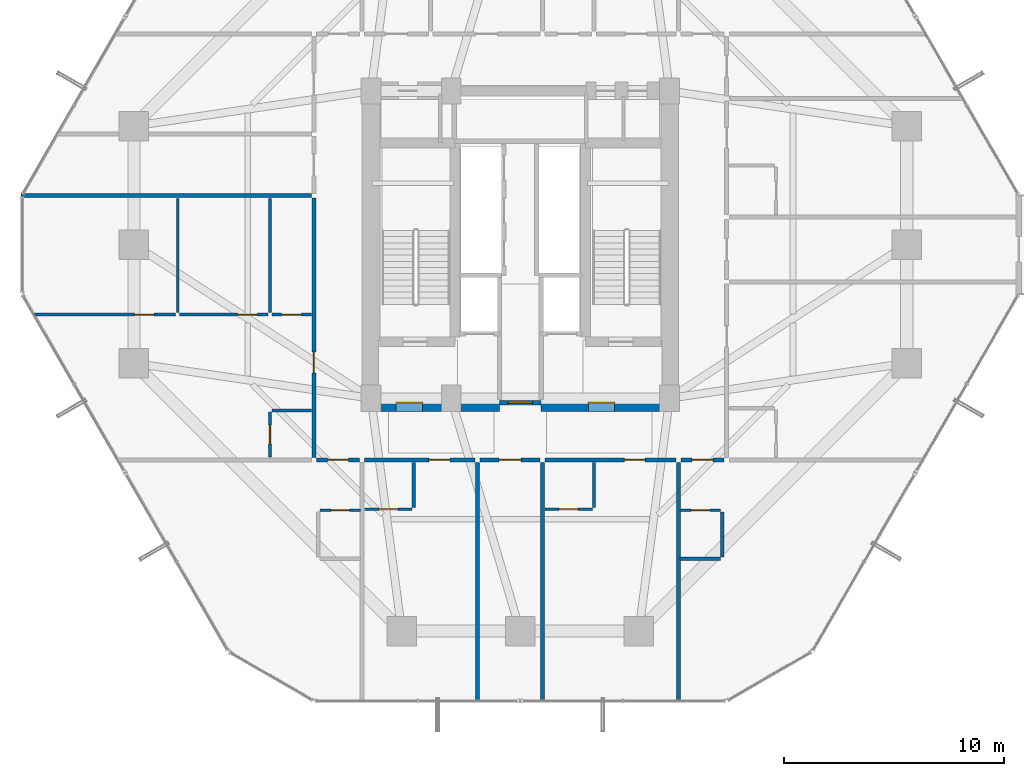
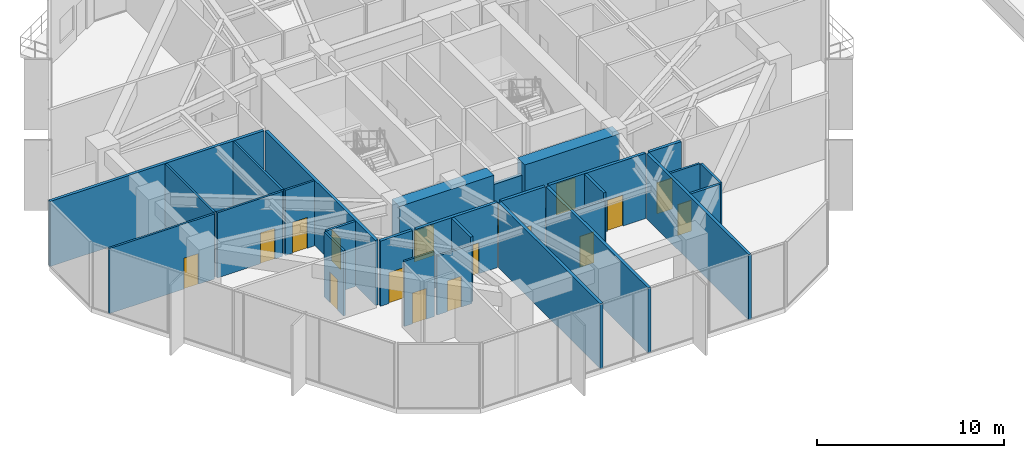
# One storey, part 33 of 39: 28 walls, 17 doors, 17 openings.
"""IFC4 building model written with IfcOpenShell, lengths in metres."""

from ifc_helpers import new_model, si_unit, direction, frame, frame_2d, origin, place, context, subcontext, project, spatial, rectangle, extrude, source, transform, mapped, material, layer, layer_set, type_object, element, fill, save


model = new_model("IFC4")

# Units and contexts
model_context = context("Model", 3, precision=1e-05, world=origin(), true_north=direction((0.0, 1.0)))
body_context = subcontext(model_context, "Body", "Model", "MODEL_VIEW")
ifc_project = project(units=[si_unit("LENGTHUNIT", "METRE"), si_unit("AREAUNIT", "SQUARE_METRE"), si_unit("VOLUMEUNIT", "CUBIC_METRE"), si_unit("PLANEANGLEUNIT", "RADIAN"), si_unit("MASSUNIT", "GRAM", prefix="KILO")], contexts=[model_context])

# Site, building, storey
site_placement = place(None, origin())
site = spatial("IfcSite", under=ifc_project, at=site_placement, CompositionType="ELEMENT")
building_placement = place(site_placement, origin())
building = spatial("IfcBuilding", under=site, at=building_placement, Name="Veraguas Prism Commons", CompositionType="ELEMENT")
storey_placement = place(building_placement, frame((0.0, 0.0, 22.800048828125)))
storey = spatial("IfcBuildingStorey", under=building, at=storey_placement, Name="L05", CompositionType="ELEMENT", Elevation=22.800048828125)

# Wall, opening, door
ifc_material_1 = material(Name="Concrete C60/75", Category="concrete")
ifc_layer_1 = layer(ifc_material_1, 0.800048828125, Name="Core Outer Shear Wall Lower RC 800", Category="concrete")
ifc_layer_set_1 = layer_set([ifc_layer_1], Name="Concrete C60/75")
wall_type_1 = type_object("IfcWallType", Name="Core Outer Shear Wall Lower RC 800", PredefinedType="SHEAR", material=ifc_layer_set_1)
wall_1_placement = place(storey_placement, frame((17.199951171875, 16.800048828125, 0.0), z_axis=(0.0, 0.0, 1.0), x_axis=(1.0, 0.0, 0.0)))
wall_1 = element("IfcWall", 1, at=wall_1_placement, inside=storey, type_object=wall_type_1, Name="Central Core South-West Shear Wall L05", PredefinedType="SHEAR", context=body_context, shape_type="SweptSolid", body=[
    extrude(rectangle(XDim=5.85009765625, YDim=0.800048828125, at=frame_2d((2.925048828125, 0.0))), origin(), (0.0, 0.0, 1.0), 4.25),
])
opening_1_placement = place(wall_1_placement, frame((1.14990234375, 0.0, 0.0)))
opening_1 = element("IfcOpeningElement", 2, at=opening_1_placement, cuts=wall_1, Name="Opening DR-06", PredefinedType="OPENING", context=body_context, shape_type="SweptSolid", body=[
    extrude(rectangle(XDim=1.199951171875, YDim=2.030029296875, at=frame_2d((0.60009765625, 1.01513671875))), frame((0.0, 0.409912109375, 0.0), z_axis=(0.0, -1.0, 0.0), x_axis=(1.0, 0.0, 0.0)), (0.0, 0.0, 1.0), 0.820068359375),
])
ifc_material_2 = material(Name="Steel fire-rated door assembly", Category="steel")
door_type_1 = type_object("IfcDoorType", Name="Firefighting Lobby Smoke Door 1200x2030", OperationType="NOTDEFINED", PredefinedType="DOOR", material=ifc_material_2)
shared_shape_1 = source(origin(), body_context, "Body", "SweptSolid", [
    extrude(rectangle(XDim=1.199951171875, YDim=2.030029296875, at=frame_2d((0.60009765625, 1.01513671875))), frame((0.0, 0.02490234375, 0.0), z_axis=(0.0, -1.0, 0.0), x_axis=(1.0, 0.0, 0.0)), (0.0, 0.0, 1.0), 0.050048828125),
])
door_1_placement = place(opening_1_placement, origin())
door_1 = element("IfcDoor", 3, at=door_1_placement, inside=storey, type_object=door_type_1, Name="West FF Lobby Door L05", OperationType="SINGLE_SWING_RIGHT", OverallHeight=2.030029296875, OverallWidth=1.199951171875, PredefinedType="DOOR", context=body_context, shape_type="MappedRepresentation", body=[
    mapped(shared_shape_1, transform((0.0, 0.0, 0.0), scale=1.0)),
])
fill(opening_1, door_1)

wall_2_placement = place(storey_placement, frame((24.949951171875, 16.800048828125, 0.0), z_axis=(0.0, 0.0, 1.0), x_axis=(1.0, 0.0, 0.0)))
wall_2 = element("IfcWall", 4, at=wall_2_placement, inside=storey, type_object=wall_type_1, Name="Central Core South-East Shear Wall L05", PredefinedType="SHEAR", context=body_context, shape_type="SweptSolid", body=[
    extrude(rectangle(XDim=5.85009765625, YDim=0.800048828125, at=frame_2d((2.925048828125, 0.0))), origin(), (0.0, 0.0, 1.0), 4.25),
])
opening_2_placement = place(wall_2_placement, frame((2.14990234375, 0.0, 0.0)))
opening_2 = element("IfcOpeningElement", 5, at=opening_2_placement, cuts=wall_2, Name="Opening DR-06", PredefinedType="OPENING", context=body_context, shape_type="SweptSolid", body=[
    extrude(rectangle(XDim=1.199951171875, YDim=2.030029296875, at=frame_2d((0.60009765625, 1.01513671875))), frame((0.0, 0.409912109375, 0.0), z_axis=(0.0, -1.0, 0.0), x_axis=(1.0, 0.0, 0.0)), (0.0, 0.0, 1.0), 0.820068359375),
])
door_2_placement = place(opening_2_placement, origin())
door_2 = element("IfcDoor", 6, at=door_2_placement, inside=storey, type_object=door_type_1, Name="East FF Lobby Door L05", OperationType="SINGLE_SWING_RIGHT", OverallHeight=2.030029296875, OverallWidth=1.199951171875, PredefinedType="DOOR", context=body_context, shape_type="MappedRepresentation", body=[
    mapped(shared_shape_1, transform((0.0, 0.0, 0.0), scale=1.0)),
])
fill(opening_2, door_2)

# Wall
ifc_material_3 = material(Name="Autoclaved aerated masonry block 10 MPa", Category="masonry")
ifc_layer_2 = layer(ifc_material_3, 0.179931640625, Name="Corridor and Inter-Tenancy Partition 180", Category="masonry")
ifc_layer_set_2 = layer_set([ifc_layer_2], Name="Autoclaved aerated masonry block 10 MPa")
wall_type_2 = type_object("IfcWallType", Name="Corridor and Inter-Tenancy Partition 180", PredefinedType="PARTITIONING", material=ifc_layer_set_2)
wall_3_placement = place(storey_placement, frame((31.199951171875, 14.080078125, 0.0), z_axis=(0.0, 0.0, 1.0), x_axis=(0.0, -1.0, 0.0)))
element("IfcWall", 7, at=wall_3_placement, inside=storey, type_object=wall_type_2, Name="WL-L05-PT002", PredefinedType="PARTITIONING", context=body_context, shape_type="SweptSolid", body=[
    extrude(rectangle(XDim=10.894775390625, YDim=0.179931640625, at=frame_2d((5.447265625, 0.0))), origin(), (0.0, 0.0, 1.0), 4.25),
])

# Wall, opening, door
wall_4_placement = place(storey_placement, frame((22.16796875, 14.199951171875, 0.0), z_axis=(0.0, 0.0, 1.0), x_axis=(1.0, 0.0, 0.0)))
wall_4 = element("IfcWall", 8, at=wall_4_placement, inside=storey, type_object=wall_type_2, Name="WL-L05-PT003", PredefinedType="PARTITIONING", context=body_context, shape_type="SweptSolid", body=[
    extrude(rectangle(XDim=2.72998046875, YDim=0.179931640625, at=frame_2d((1.364990234375, 0.0))), origin(), (0.0, 0.0, 1.0), 4.25),
])
opening_3_placement = place(wall_4_placement, frame((0.864990234375, 0.0, 0.0)))
opening_3 = element("IfcOpeningElement", 9, at=opening_3_placement, cuts=wall_4, Name="Opening DR-13", PredefinedType="OPENING", context=body_context, shape_type="SweptSolid", body=[
    extrude(rectangle(XDim=1.0, YDim=2.010009765625, at=frame_2d((0.5, 1.0048828125))), frame((0.0, 0.099853515625, 0.0), z_axis=(0.0, -1.0, 0.0), x_axis=(1.0, 0.0, 0.0)), (0.0, 0.0, 1.0), 0.199951171875),
])
door_type_2 = type_object("IfcDoorType", Name="Core Accessible WC and Clinic Fire Door 1000x2010", OperationType="NOTDEFINED", PredefinedType="DOOR", material=ifc_material_2)
shared_shape_2 = source(origin(), body_context, "Body", "SweptSolid", [
    extrude(rectangle(XDim=1.0, YDim=2.010009765625, at=frame_2d((0.5, 1.0048828125))), frame((0.0, 0.02490234375, 0.0), z_axis=(0.0, -1.0, 0.0), x_axis=(1.0, 0.0, 0.0)), (0.0, 0.0, 1.0), 0.050048828125),
])
door_3_placement = place(opening_3_placement, origin())
door_3 = element("IfcDoor", 10, at=door_3_placement, inside=storey, type_object=door_type_2, Name="Quiet Study S Door", OperationType="SINGLE_SWING_RIGHT", OverallHeight=2.010009765625, OverallWidth=1.0, PredefinedType="DOOR", context=body_context, shape_type="MappedRepresentation", body=[
    mapped(shared_shape_2, transform((0.0, 0.0, 0.0), scale=1.0)),
])
fill(opening_3, door_3)

# Wall
wall_5_placement = place(storey_placement, frame((22.05810546875, 14.080078125, 0.0), z_axis=(0.0, 0.0, 1.0), x_axis=(0.0, -1.0, 0.0)))
element("IfcWall", 11, at=wall_5_placement, inside=storey, type_object=wall_type_2, Name="WL-L05-PT004", PredefinedType="PARTITIONING", context=body_context, shape_type="SweptSolid", body=[
    extrude(rectangle(XDim=10.894775390625, YDim=0.179931640625, at=frame_2d((5.447265625, 0.0))), origin(), (0.0, 0.0, 1.0), 4.25),
])

# Wall, opening, door
wall_6_placement = place(storey_placement, frame((16.909912109375, 14.199951171875, 0.0), z_axis=(0.0, 0.0, 1.0), x_axis=(1.0, 0.0, 0.0)))
wall_6 = element("IfcWall", 12, at=wall_6_placement, inside=storey, type_object=wall_type_2, Name="WL-L05-PT005", PredefinedType="PARTITIONING", context=body_context, shape_type="SweptSolid", body=[
    extrude(rectangle(XDim=5.0380859375, YDim=0.179931640625, at=frame_2d((2.51904296875, 0.0))), origin(), (0.0, 0.0, 1.0), 4.25),
])
opening_4_placement = place(wall_6_placement, frame((2.92919921875, 0.0, 0.0)))
opening_4 = element("IfcOpeningElement", 13, at=opening_4_placement, cuts=wall_6, Name="Opening DR-01", PredefinedType="OPENING", context=body_context, shape_type="SweptSolid", body=[
    extrude(rectangle(XDim=0.949951171875, YDim=2.02001953125, at=frame_2d((0.47509765625, 1.010009765625))), frame((0.0, 0.099853515625, 0.0), z_axis=(0.0, -1.0, 0.0), x_axis=(1.0, 0.0, 0.0)), (0.0, 0.0, 1.0), 0.199951171875),
])
ifc_material_4 = material(Name="Anodised aluminium EN AW-6063 T6", Category="aluminium")
door_type_3 = type_object("IfcDoorType", Name="Apartment Entrance Fire Door 950x2020", OperationType="NOTDEFINED", PredefinedType="DOOR", material=ifc_material_4)
shared_shape_3 = source(origin(), body_context, "Body", "SweptSolid", [
    extrude(rectangle(XDim=0.949951171875, YDim=2.02001953125, at=frame_2d((0.47509765625, 1.010009765625))), frame((0.0, 0.02490234375, 0.0), z_axis=(0.0, -1.0, 0.0), x_axis=(1.0, 0.0, 0.0)), (0.0, 0.0, 1.0), 0.050048828125),
])
door_4_placement = place(opening_4_placement, origin())
door_4 = element("IfcDoor", 14, at=door_4_placement, inside=storey, type_object=door_type_3, Name="Studio 05A Entrance Door", OperationType="SINGLE_SWING_LEFT", OverallHeight=2.02001953125, OverallWidth=0.949951171875, PredefinedType="DOOR", context=body_context, shape_type="MappedRepresentation", body=[
    mapped(shared_shape_3, transform((0.0, 0.0, 0.0), scale=1.0)),
])
fill(opening_4, door_4)

# Wall
wall_7_placement = place(storey_placement, frame((25.008056640625, 14.080078125, 0.0), z_axis=(0.0, 0.0, 1.0), x_axis=(0.0, -1.0, 0.0)))
element("IfcWall", 15, at=wall_7_placement, inside=storey, type_object=wall_type_2, Name="WL-L05-PT008", PredefinedType="PARTITIONING", context=body_context, shape_type="SweptSolid", body=[
    extrude(rectangle(XDim=10.894775390625, YDim=0.179931640625, at=frame_2d((5.447265625, 0.0))), origin(), (0.0, 0.0, 1.0), 4.25),
])

# Wall, opening, door
wall_8_placement = place(storey_placement, frame((25.117919921875, 14.199951171875, 0.0), z_axis=(0.0, 0.0, 1.0), x_axis=(1.0, 0.0, 0.0)))
wall_8 = element("IfcWall", 16, at=wall_8_placement, inside=storey, type_object=wall_type_2, Name="WL-L05-PT009", PredefinedType="PARTITIONING", context=body_context, shape_type="SweptSolid", body=[
    extrude(rectangle(XDim=5.97216796875, YDim=0.179931640625, at=frame_2d((2.986083984375, 0.0))), origin(), (0.0, 0.0, 1.0), 4.25),
])
opening_5_placement = place(wall_8_placement, frame((3.620361328125, 0.0, 0.0)))
opening_5 = element("IfcOpeningElement", 17, at=opening_5_placement, cuts=wall_8, Name="Opening DR-01", PredefinedType="OPENING", context=body_context, shape_type="SweptSolid", body=[
    extrude(rectangle(XDim=0.949951171875, YDim=2.02001953125, at=frame_2d((0.47509765625, 1.010009765625))), frame((0.0, 0.099853515625, 0.0), z_axis=(0.0, -1.0, 0.0), x_axis=(1.0, 0.0, 0.0)), (0.0, 0.0, 1.0), 0.199951171875),
])
door_5_placement = place(opening_5_placement, origin())
door_5 = element("IfcDoor", 18, at=door_5_placement, inside=storey, type_object=door_type_3, Name="Studio 05B Entrance Door", OperationType="SINGLE_SWING_LEFT", OverallHeight=2.02001953125, OverallWidth=0.949951171875, PredefinedType="DOOR", context=body_context, shape_type="MappedRepresentation", body=[
    mapped(shared_shape_3, transform((0.0, 0.0, 0.0), scale=1.0)),
])
fill(opening_5, door_5)

wall_9_placement = place(storey_placement, frame((14.60009765625, 14.31005859375, 0.0), z_axis=(0.0, 0.0, 1.0), x_axis=(0.0, 1.0, 0.0)))
wall_9 = element("IfcWall", 19, at=wall_9_placement, inside=storey, type_object=wall_type_2, Name="WL-L05-PT023", PredefinedType="PARTITIONING", context=body_context, shape_type="SweptSolid", body=[
    extrude(rectangle(XDim=11.807861328125, YDim=0.179931640625, at=frame_2d((5.90380859375, 0.0))), origin(), (0.0, 0.0, 1.0), 4.25),
])
opening_6_placement = place(wall_9_placement, frame((3.847412109375, 0.0, 0.0)))
opening_6 = element("IfcOpeningElement", 20, at=opening_6_placement, cuts=wall_9, Name="Opening DR-01", PredefinedType="OPENING", context=body_context, shape_type="SweptSolid", body=[
    extrude(rectangle(XDim=0.949951171875, YDim=2.02001953125, at=frame_2d((0.47509765625, 1.010009765625))), frame((0.0, 0.099853515625, 0.0), z_axis=(0.0, -1.0, 0.0), x_axis=(1.0, 0.0, 0.0)), (0.0, 0.0, 1.0), 0.199951171875),
])
door_6_placement = place(opening_6_placement, origin())
door_6 = element("IfcDoor", 21, at=door_6_placement, inside=storey, type_object=door_type_3, Name="Flat 05C Entrance Door", OperationType="SINGLE_SWING_LEFT", OverallHeight=2.02001953125, OverallWidth=0.949951171875, PredefinedType="DOOR", context=body_context, shape_type="MappedRepresentation", body=[
    mapped(shared_shape_3, transform((0.0, 0.0, 0.0), scale=1.0)),
])
fill(opening_6, door_6)

# Wall
wall_10_placement = place(storey_placement, frame((14.47998046875, 26.22802734375, 0.0), z_axis=(0.0, 0.0, 1.0), x_axis=(-1.0, 0.0, 0.0)))
element("IfcWall", 22, at=wall_10_placement, inside=storey, type_object=wall_type_2, Name="WL-L05-PT031", PredefinedType="PARTITIONING", context=body_context, shape_type="SweptSolid", body=[
    extrude(rectangle(XDim=13.2109375, YDim=0.179931640625, at=frame_2d((6.60546875, 0.0))), origin(), (0.0, 0.0, 1.0), 4.25),
])

# Wall, opening, door
wall_11_placement = place(storey_placement, frame((14.719970703125, 14.199951171875, 0.0), z_axis=(0.0, 0.0, 1.0), x_axis=(1.0, 0.0, 0.0)))
wall_11 = element("IfcWall", 23, at=wall_11_placement, inside=storey, type_object=wall_type_2, Name="WL-L05-PT048", PredefinedType="PARTITIONING", context=body_context, shape_type="SweptSolid", body=[
    extrude(rectangle(XDim=1.9599609375, YDim=0.179931640625, at=frame_2d((0.97998046875, 0.0))), origin(), (0.0, 0.0, 1.0), 4.25),
])
opening_7_placement = place(wall_11_placement, frame((0.5048828125, 0.0, 0.0)))
opening_7 = element("IfcOpeningElement", 24, at=opening_7_placement, cuts=wall_11, Name="Opening DR-01", PredefinedType="OPENING", context=body_context, shape_type="SweptSolid", body=[
    extrude(rectangle(XDim=0.949951171875, YDim=2.02001953125, at=frame_2d((0.47509765625, 1.010009765625))), frame((0.0, 0.099853515625, 0.0), z_axis=(0.0, -1.0, 0.0), x_axis=(1.0, 0.0, 0.0)), (0.0, 0.0, 1.0), 0.199951171875),
])
door_7_placement = place(opening_7_placement, origin())
door_7 = element("IfcDoor", 25, at=door_7_placement, inside=storey, type_object=door_type_3, Name="Studio 05F Entrance Door", OperationType="SINGLE_SWING_RIGHT", OverallHeight=2.02001953125, OverallWidth=0.949951171875, PredefinedType="DOOR", context=body_context, shape_type="MappedRepresentation", body=[
    mapped(shared_shape_3, transform((0.0, 0.0, 0.0), scale=1.0)),
])
fill(opening_7, door_7)

wall_12_placement = place(storey_placement, frame((31.320068359375, 14.199951171875, 0.0), z_axis=(0.0, 0.0, 1.0), x_axis=(1.0, 0.0, 0.0)))
wall_12 = element("IfcWall", 26, at=wall_12_placement, inside=storey, type_object=wall_type_2, Name="WL-L05-PT052", PredefinedType="PARTITIONING", context=body_context, shape_type="SweptSolid", body=[
    extrude(rectangle(XDim=1.9599609375, YDim=0.179931640625, at=frame_2d((0.97998046875, 0.0))), origin(), (0.0, 0.0, 1.0), 4.25),
])
opening_8_placement = place(wall_12_placement, frame((0.5048828125, 0.0, 0.0)))
opening_8 = element("IfcOpeningElement", 27, at=opening_8_placement, cuts=wall_12, Name="Opening DR-01", PredefinedType="OPENING", context=body_context, shape_type="SweptSolid", body=[
    extrude(rectangle(XDim=0.949951171875, YDim=2.02001953125, at=frame_2d((0.47509765625, 1.010009765625))), frame((0.0, 0.099853515625, 0.0), z_axis=(0.0, -1.0, 0.0), x_axis=(1.0, 0.0, 0.0)), (0.0, 0.0, 1.0), 0.199951171875),
])
door_8_placement = place(opening_8_placement, origin())
door_8 = element("IfcDoor", 28, at=door_8_placement, inside=storey, type_object=door_type_3, Name="Studio 05G Entrance Door", OperationType="SINGLE_SWING_RIGHT", OverallHeight=2.02001953125, OverallWidth=0.949951171875, PredefinedType="DOOR", context=body_context, shape_type="MappedRepresentation", body=[
    mapped(shared_shape_3, transform((0.0, 0.0, 0.0), scale=1.0)),
])
fill(opening_8, door_8)

ifc_material_5 = material(Name="Lightweight acoustic gypsum board")
ifc_layer_3 = layer(ifc_material_5, 0.125, Name="Internal Apartment Room Partition 125")
ifc_layer_set_3 = layer_set([ifc_layer_3], Name="Lightweight acoustic gypsum board")
wall_type_3 = type_object("IfcWallType", Name="Internal Apartment Room Partition 125", PredefinedType="PARTITIONING", material=ifc_layer_set_3)
wall_13_placement = place(storey_placement, frame((16.919921875, 11.949951171875, 0.0), z_axis=(0.0, 0.0, 1.0), x_axis=(1.0, 0.0, 0.0)))
wall_13 = element("IfcWall", 29, at=wall_13_placement, inside=storey, type_object=wall_type_3, Name="WL-L05-PT007", PredefinedType="PARTITIONING", context=body_context, shape_type="SweptSolid", body=[
    extrude(rectangle(XDim=2.150146484375, YDim=0.125, at=frame_2d((1.0751953125, 0.0))), origin(), (0.0, 0.0, 1.0), 3.829833984375),
])
opening_9_placement = place(wall_13_placement, frame((0.64501953125, 0.0, 0.0)))
opening_9 = element("IfcOpeningElement", 30, at=opening_9_placement, cuts=wall_13, Name="Opening DR-03", PredefinedType="OPENING", context=body_context, shape_type="SweptSolid", body=[
    extrude(rectangle(XDim=0.860107421875, YDim=2.010009765625, at=frame_2d((0.43017578125, 1.0048828125))), frame((0.0, 0.072509765625, 0.0), z_axis=(0.0, -1.0, 0.0), x_axis=(1.0, 0.0, 0.0)), (0.0, 0.0, 1.0), 0.14501953125),
])
ifc_material_6 = material(Name="Timber moisture-resistant leaf", Category="wood")
door_type_4 = type_object("IfcDoorType", Name="Internal Bathroom Door 860x2010", OperationType="NOTDEFINED", PredefinedType="DOOR", material=ifc_material_6)
shared_shape_4 = source(origin(), body_context, "Body", "SweptSolid", [
    extrude(rectangle(XDim=0.860107421875, YDim=2.010009765625, at=frame_2d((0.43017578125, 1.0048828125))), frame((0.0, 0.02490234375, 0.0), z_axis=(0.0, -1.0, 0.0), x_axis=(1.0, 0.0, 0.0)), (0.0, 0.0, 1.0), 0.050048828125),
])
door_9_placement = place(opening_9_placement, origin())
door_9 = element("IfcDoor", 31, at=door_9_placement, inside=storey, type_object=door_type_4, Name="Studio 05A Bathroom Door", OperationType="SINGLE_SWING_RIGHT", OverallHeight=2.010009765625, OverallWidth=0.860107421875, PredefinedType="DOOR", context=body_context, shape_type="MappedRepresentation", body=[
    mapped(shared_shape_4, transform((0.0, 0.0, 0.0), scale=1.0)),
])
fill(opening_9, door_9)

wall_14_placement = place(storey_placement, frame((25.1279296875, 11.949951171875, 0.0), z_axis=(0.0, 0.0, 1.0), x_axis=(1.0, 0.0, 0.0)))
wall_14 = element("IfcWall", 32, at=wall_14_placement, inside=storey, type_object=wall_type_3, Name="WL-L05-PT011", PredefinedType="PARTITIONING", context=body_context, shape_type="SweptSolid", body=[
    extrude(rectangle(XDim=2.150146484375, YDim=0.125, at=frame_2d((1.0751953125, 0.0))), origin(), (0.0, 0.0, 1.0), 3.829833984375),
])
opening_10_placement = place(wall_14_placement, frame((0.64501953125, 0.0, 0.0)))
opening_10 = element("IfcOpeningElement", 33, at=opening_10_placement, cuts=wall_14, Name="Opening DR-03", PredefinedType="OPENING", context=body_context, shape_type="SweptSolid", body=[
    extrude(rectangle(XDim=0.860107421875, YDim=2.010009765625, at=frame_2d((0.43017578125, 1.0048828125))), frame((0.0, 0.072509765625, 0.0), z_axis=(0.0, -1.0, 0.0), x_axis=(1.0, 0.0, 0.0)), (0.0, 0.0, 1.0), 0.14501953125),
])
door_10_placement = place(opening_10_placement, origin())
door_10 = element("IfcDoor", 34, at=door_10_placement, inside=storey, type_object=door_type_4, Name="Studio 05B Bathroom Door", OperationType="SINGLE_SWING_RIGHT", OverallHeight=2.010009765625, OverallWidth=0.860107421875, PredefinedType="DOOR", context=body_context, shape_type="MappedRepresentation", body=[
    mapped(shared_shape_4, transform((0.0, 0.0, 0.0), scale=1.0)),
])
fill(opening_10, door_10)

wall_15_placement = place(storey_placement, frame((12.60009765625, 14.320068359375, 0.0), z_axis=(0.0, 0.0, 1.0), x_axis=(0.0, 1.0, 0.0)))
wall_15 = element("IfcWall", 35, at=wall_15_placement, inside=storey, type_object=wall_type_3, Name="WL-L05-PT025", PredefinedType="PARTITIONING", context=body_context, shape_type="SweptSolid", body=[
    extrude(rectangle(XDim=2.050048828125, YDim=0.125, at=frame_2d((1.02490234375, 0.0))), origin(), (0.0, 0.0, 1.0), 4.25),
])
opening_11_placement = place(wall_15_placement, frame((0.594970703125, 0.0, 0.0)))
opening_11 = element("IfcOpeningElement", 36, at=opening_11_placement, cuts=wall_15, Name="Opening DR-03", PredefinedType="OPENING", context=body_context, shape_type="SweptSolid", body=[
    extrude(rectangle(XDim=0.860107421875, YDim=2.010009765625, at=frame_2d((0.43017578125, 1.0048828125))), frame((0.0, 0.072509765625, 0.0), z_axis=(0.0, -1.0, 0.0), x_axis=(1.0, 0.0, 0.0)), (0.0, 0.0, 1.0), 0.14501953125),
])
door_11_placement = place(opening_11_placement, origin())
door_11 = element("IfcDoor", 37, at=door_11_placement, inside=storey, type_object=door_type_4, Name="Flat 05C Bathroom Door", OperationType="SINGLE_SWING_RIGHT", OverallHeight=2.010009765625, OverallWidth=0.860107421875, PredefinedType="DOOR", context=body_context, shape_type="MappedRepresentation", body=[
    mapped(shared_shape_4, transform((0.0, 0.0, 0.0), scale=1.0)),
])
fill(opening_11, door_11)

wall_16_placement = place(storey_placement, frame((14.47998046875, 20.81494140625, 0.0), z_axis=(0.0, 0.0, 1.0), x_axis=(-1.0, 0.0, 0.0)))
wall_16 = element("IfcWall", 38, at=wall_16_placement, inside=storey, type_object=wall_type_3, Name="WL-L05-PT026", PredefinedType="PARTITIONING", context=body_context, shape_type="SweptSolid", body=[
    extrude(rectangle(XDim=1.800048828125, YDim=0.125, at=frame_2d((0.89990234375, 0.0))), origin(), (0.0, 0.0, 1.0), 4.25),
])
opening_12_placement = place(wall_16_placement, frame((0.449951171875, 0.0, 0.0)))
opening_12 = element("IfcOpeningElement", 39, at=opening_12_placement, cuts=wall_16, Name="Opening DR-02", PredefinedType="OPENING", context=body_context, shape_type="SweptSolid", body=[
    extrude(rectangle(XDim=0.89990234375, YDim=2.010009765625, at=frame_2d((0.449951171875, 1.0048828125))), frame((0.0, 0.072509765625, 0.0), z_axis=(0.0, -1.0, 0.0), x_axis=(1.0, 0.0, 0.0)), (0.0, 0.0, 1.0), 0.14501953125),
])
ifc_material_7 = material(Name="Timber solid core hardwood", Category="wood")
door_type_5 = type_object("IfcDoorType", Name="Internal Habitable Room Door 900x2010", OperationType="NOTDEFINED", PredefinedType="DOOR", material=ifc_material_7)
shared_shape_5 = source(origin(), body_context, "Body", "SweptSolid", [
    extrude(rectangle(XDim=0.89990234375, YDim=2.010009765625, at=frame_2d((0.449951171875, 1.0048828125))), frame((0.0, 0.02490234375, 0.0), z_axis=(0.0, -1.0, 0.0), x_axis=(1.0, 0.0, 0.0)), (0.0, 0.0, 1.0), 0.050048828125),
])
door_12_placement = place(opening_12_placement, origin())
door_12 = element("IfcDoor", 40, at=door_12_placement, inside=storey, type_object=door_type_5, Name="Flat 05C Kitchen Door", OperationType="SINGLE_SWING_LEFT", OverallHeight=2.010009765625, OverallWidth=0.89990234375, PredefinedType="DOOR", context=body_context, shape_type="MappedRepresentation", body=[
    mapped(shared_shape_5, transform((0.0, 0.0, 0.0), scale=1.0)),
])
fill(opening_12, door_12)

# Walls
for number, where, z_axis, x_axis, name in (
    (41, (12.60009765625, 20.9150390625, 0.0), (0.0, 0.0, 1.0), (0.0, 1.0, 0.0), "WL-L05-PT027"),
    (42, (8.39990234375, 20.9150390625, 0.0), (0.0, 0.0, 1.0), (0.0, 1.0, 0.0), "WL-L05-PT028"),
):
    element("IfcWall", number, at=place(storey_placement, frame(where, z_axis=z_axis, x_axis=x_axis)), inside=storey, type_object=wall_type_3, Name=name, PredefinedType="PARTITIONING", context=body_context, shape_type="SweptSolid", body=[
        extrude(rectangle(XDim=5.19287109375, YDim=0.125, at=frame_2d((2.596435546875, 0.0))), origin(), (0.0, 0.0, 1.0), 4.25),
    ])

# Wall, opening, door
wall_17_placement = place(storey_placement, frame((12.5, 20.81494140625, 0.0), z_axis=(0.0, 0.0, 1.0), x_axis=(-1.0, 0.0, 0.0)))
wall_17 = element("IfcWall", 43, at=wall_17_placement, inside=storey, type_object=wall_type_3, Name="WL-L05-PT029", PredefinedType="PARTITIONING", context=body_context, shape_type="SweptSolid", body=[
    extrude(rectangle(XDim=4.02001953125, YDim=0.125, at=frame_2d((2.010009765625, 0.0))), origin(), (0.0, 0.0, 1.0), 4.25),
])
opening_13_placement = place(wall_17_placement, frame((0.471923828125, 0.0, 0.0)))
opening_13 = element("IfcOpeningElement", 44, at=opening_13_placement, cuts=wall_17, Name="Opening DR-02", PredefinedType="OPENING", context=body_context, shape_type="SweptSolid", body=[
    extrude(rectangle(XDim=0.89990234375, YDim=2.010009765625, at=frame_2d((0.449951171875, 1.0048828125))), frame((0.0, 0.072509765625, 0.0), z_axis=(0.0, -1.0, 0.0), x_axis=(1.0, 0.0, 0.0)), (0.0, 0.0, 1.0), 0.14501953125),
])
door_13_placement = place(opening_13_placement, origin())
door_13 = element("IfcDoor", 45, at=door_13_placement, inside=storey, type_object=door_type_5, Name="Flat 05C Bedroom 1 Door", OperationType="SINGLE_SWING_RIGHT", OverallHeight=2.010009765625, OverallWidth=0.89990234375, PredefinedType="DOOR", context=body_context, shape_type="MappedRepresentation", body=[
    mapped(shared_shape_5, transform((0.0, 0.0, 0.0), scale=1.0)),
])
fill(opening_13, door_13)

wall_18_placement = place(storey_placement, frame((8.300048828125, 20.81494140625, 0.0), z_axis=(0.0, 0.0, 1.0), x_axis=(-1.0, 0.0, 0.0)))
wall_18 = element("IfcWall", 46, at=wall_18_placement, inside=storey, type_object=wall_type_3, Name="WL-L05-PT030", PredefinedType="PARTITIONING", context=body_context, shape_type="SweptSolid", body=[
    extrude(rectangle(XDim=6.495849609375, YDim=0.125, at=frame_2d((3.248046875, 0.0))), origin(), (0.0, 0.0, 1.0), 4.25),
])
opening_14_placement = place(wall_18_placement, frame((0.9794921875, 0.0, 0.0)))
opening_14 = element("IfcOpeningElement", 47, at=opening_14_placement, cuts=wall_18, Name="Opening DR-02", PredefinedType="OPENING", context=body_context, shape_type="SweptSolid", body=[
    extrude(rectangle(XDim=0.89990234375, YDim=2.010009765625, at=frame_2d((0.449951171875, 1.0048828125))), frame((0.0, 0.072509765625, 0.0), z_axis=(0.0, -1.0, 0.0), x_axis=(1.0, 0.0, 0.0)), (0.0, 0.0, 1.0), 0.14501953125),
])
door_14_placement = place(opening_14_placement, origin())
door_14 = element("IfcDoor", 48, at=door_14_placement, inside=storey, type_object=door_type_5, Name="Flat 05C Bedroom 2 Door", OperationType="SINGLE_SWING_LEFT", OverallHeight=2.010009765625, OverallWidth=0.89990234375, PredefinedType="DOOR", context=body_context, shape_type="MappedRepresentation", body=[
    mapped(shared_shape_5, transform((0.0, 0.0, 0.0), scale=1.0)),
])
fill(opening_14, door_14)

wall_19_placement = place(storey_placement, frame((14.8798828125, 11.89990234375, 0.0), z_axis=(0.0, 0.0, 1.0), x_axis=(1.0, 0.0, 0.0)))
wall_19 = element("IfcWall", 49, at=wall_19_placement, inside=storey, type_object=wall_type_3, Name="WL-L05-PT049", PredefinedType="PARTITIONING", context=body_context, shape_type="SweptSolid", body=[
    extrude(rectangle(XDim=1.840087890625, YDim=0.125, at=frame_2d((0.919921875, 0.0))), origin(), (0.0, 0.0, 1.0), 4.25),
])
opening_15_placement = place(wall_19_placement, frame((0.489990234375, 0.0, 0.0)))
opening_15 = element("IfcOpeningElement", 50, at=opening_15_placement, cuts=wall_19, Name="Opening DR-03", PredefinedType="OPENING", context=body_context, shape_type="SweptSolid", body=[
    extrude(rectangle(XDim=0.860107421875, YDim=2.010009765625, at=frame_2d((0.43017578125, 1.0048828125))), frame((0.0, 0.072509765625, 0.0), z_axis=(0.0, -1.0, 0.0), x_axis=(1.0, 0.0, 0.0)), (0.0, 0.0, 1.0), 0.14501953125),
])
door_15_placement = place(opening_15_placement, origin())
door_15 = element("IfcDoor", 51, at=door_15_placement, inside=storey, type_object=door_type_4, Name="Studio 05F Bathroom Door", OperationType="SINGLE_SWING_LEFT", OverallHeight=2.010009765625, OverallWidth=0.860107421875, PredefinedType="DOOR", context=body_context, shape_type="MappedRepresentation", body=[
    mapped(shared_shape_4, transform((0.0, 0.0, 0.0), scale=1.0)),
])
fill(opening_15, door_15)

wall_20_placement = place(storey_placement, frame((31.280029296875, 11.89990234375, 0.0), z_axis=(0.0, 0.0, 1.0), x_axis=(1.0, 0.0, 0.0)))
wall_20 = element("IfcWall", 52, at=wall_20_placement, inside=storey, type_object=wall_type_3, Name="WL-L05-PT053", PredefinedType="PARTITIONING", context=body_context, shape_type="SweptSolid", body=[
    extrude(rectangle(XDim=1.840087890625, YDim=0.125, at=frame_2d((0.919921875, 0.0))), origin(), (0.0, 0.0, 1.0), 4.25),
])
opening_16_placement = place(wall_20_placement, frame((0.489990234375, 0.0, 0.0)))
opening_16 = element("IfcOpeningElement", 53, at=opening_16_placement, cuts=wall_20, Name="Opening DR-03", PredefinedType="OPENING", context=body_context, shape_type="SweptSolid", body=[
    extrude(rectangle(XDim=0.860107421875, YDim=2.010009765625, at=frame_2d((0.43017578125, 1.0048828125))), frame((0.0, 0.072509765625, 0.0), z_axis=(0.0, -1.0, 0.0), x_axis=(1.0, 0.0, 0.0)), (0.0, 0.0, 1.0), 0.14501953125),
])
door_16_placement = place(opening_16_placement, origin())
door_16 = element("IfcDoor", 54, at=door_16_placement, inside=storey, type_object=door_type_4, Name="Studio 05G Bathroom Door", OperationType="SINGLE_SWING_LEFT", OverallHeight=2.010009765625, OverallWidth=0.860107421875, PredefinedType="DOOR", context=body_context, shape_type="MappedRepresentation", body=[
    mapped(shared_shape_4, transform((0.0, 0.0, 0.0), scale=1.0)),
])
fill(opening_16, door_16)

ifc_layer_4 = layer(ifc_material_3, 0.199951171875, Name="Rated Shaft and Lobby Block Wall 200", Category="masonry")
ifc_layer_set_4 = layer_set([ifc_layer_4], Name="Autoclaved aerated masonry block 10 MPa")
wall_type_4 = type_object("IfcWallType", Name="Rated Shaft and Lobby Block Wall 200", PredefinedType="SOLIDWALL", material=ifc_layer_set_4)
wall_21_placement = place(storey_placement, frame((23.050048828125, 16.800048828125, 0.0), z_axis=(0.0, 0.0, 1.0), x_axis=(1.0, 0.0, 0.0)))
wall_21 = element("IfcWall", 55, at=wall_21_placement, inside=storey, type_object=wall_type_4, Name="Central Core Lobby Entrance Wall L05", PredefinedType="SOLIDWALL", context=body_context, shape_type="SweptSolid", body=[
    extrude(rectangle(XDim=1.89990234375, YDim=0.199951171875, at=frame_2d((0.949951171875, 0.0))), origin(), (0.0, 0.0, 1.0), 3.39990234375),
])
opening_17_placement = place(wall_21_placement, frame((0.39990234375, 0.0, 0.0)))
opening_17 = element("IfcOpeningElement", 56, at=opening_17_placement, cuts=wall_21, Name="Opening DR-05", PredefinedType="OPENING", context=body_context, shape_type="SweptSolid", body=[
    extrude(rectangle(XDim=1.10009765625, YDim=2.030029296875, at=frame_2d((0.550048828125, 1.01513671875))), frame((0.0, 0.10986328125, 0.0), z_axis=(0.0, -1.0, 0.0), x_axis=(1.0, 0.0, 0.0)), (0.0, 0.0, 1.0), 0.219970703125),
])
door_type_6 = type_object("IfcDoorType", Name="Protected Stair and Refuge Fire Door 1100x2030", OperationType="NOTDEFINED", PredefinedType="DOOR", material=ifc_material_2)
shared_shape_6 = source(origin(), body_context, "Body", "SweptSolid", [
    extrude(rectangle(XDim=1.10009765625, YDim=2.030029296875, at=frame_2d((0.550048828125, 1.01513671875))), frame((0.0, 0.02490234375, 0.0), z_axis=(0.0, -1.0, 0.0), x_axis=(1.0, 0.0, 0.0)), (0.0, 0.0, 1.0), 0.050048828125),
])
door_17_placement = place(opening_17_placement, origin())
door_17 = element("IfcDoor", 57, at=door_17_placement, inside=storey, type_object=door_type_6, Name="Central Lobby Door L05", OperationType="SINGLE_SWING_LEFT", OverallHeight=2.030029296875, OverallWidth=1.10009765625, PredefinedType="DOOR", context=body_context, shape_type="MappedRepresentation", body=[
    mapped(shared_shape_6, transform((0.0, 0.0, 0.0), scale=1.0)),
])
fill(opening_17, door_17)

# Walls
ifc_layer_5 = layer(ifc_material_5, 0.14990234375, Name="Wet Room and Clinic Acoustic Partition 150")
ifc_layer_set_5 = layer_set([ifc_layer_5], Name="Lightweight acoustic gypsum board")
wall_type_5 = type_object("IfcWallType", Name="Wet Room and Clinic Acoustic Partition 150", PredefinedType="PARTITIONING", material=ifc_layer_set_5)
for number, where, z_axis, x_axis, name in (
    (58, (19.14990234375, 14.080078125, 0.0), (0.0, 0.0, 1.0), (0.0, -1.0, 0.0), "WL-L05-PT006"),
    (59, (27.35791015625, 14.080078125, 0.0), (0.0, 0.0, 1.0), (0.0, -1.0, 0.0), "WL-L05-PT010"),
):
    element("IfcWall", number, at=place(storey_placement, frame(where, z_axis=z_axis, x_axis=x_axis)), inside=storey, type_object=wall_type_5, Name=name, PredefinedType="PARTITIONING", context=body_context, shape_type="SweptSolid", body=[
        extrude(rectangle(XDim=2.050048828125, YDim=0.14990234375, at=frame_2d((1.02490234375, 0.0))), origin(), (0.0, 0.0, 1.0), 4.25),
    ])
wall_22_placement = place(storey_placement, frame((14.47998046875, 16.449951171875, 0.0), z_axis=(0.0, 0.0, 1.0), x_axis=(-1.0, 0.0, 0.0)))
element("IfcWall", 60, at=wall_22_placement, inside=storey, type_object=wall_type_5, Name="WL-L05-PT024", PredefinedType="PARTITIONING", context=body_context, shape_type="SweptSolid", body=[
    extrude(rectangle(XDim=1.800048828125, YDim=0.14990234375, at=frame_2d((0.89990234375, 0.0))), origin(), (0.0, 0.0, 1.0), 4.25),
])
wall_23_placement = place(storey_placement, frame((31.280029296875, 9.699951171875, 0.0), z_axis=(0.0, 0.0, 1.0), x_axis=(1.0, 0.0, 0.0)))
element("IfcWall", 61, at=wall_23_placement, inside=storey, type_object=wall_type_5, Name="WL-L05-PT054", PredefinedType="PARTITIONING", context=body_context, shape_type="SweptSolid", body=[
    extrude(rectangle(XDim=1.840087890625, YDim=0.14990234375, at=frame_2d((0.919921875, 0.0))), origin(), (0.0, 0.0, 1.0), 4.25),
])
wall_24_placement = place(storey_placement, frame((33.199951171875, 9.780029296875, 0.0), z_axis=(0.0, 0.0, 1.0), x_axis=(0.0, 1.0, 0.0)))
element("IfcWall", 62, at=wall_24_placement, inside=storey, type_object=wall_type_5, Name="WL-L05-PT055", PredefinedType="PARTITIONING", context=body_context, shape_type="SweptSolid", body=[
    extrude(rectangle(XDim=2.0400390625, YDim=0.14990234375, at=frame_2d((1.02001953125, 0.0))), origin(), (0.0, 0.0, 1.0), 4.25),
])

save(model, "model.ifc")
